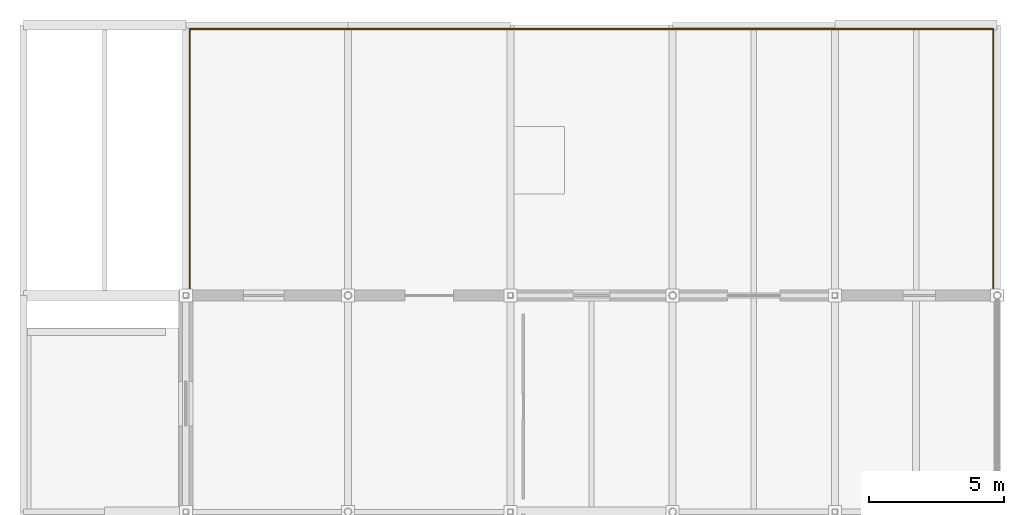
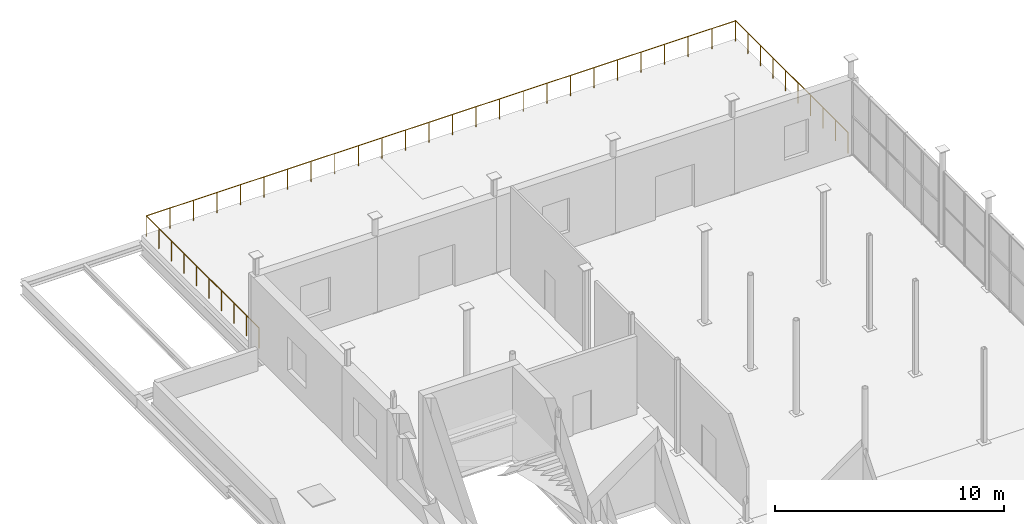
# One storey, part 27 of 27: 3 railings.
"""IFC4 building model written with IfcOpenShell, lengths in metres."""

from ifc_helpers import new_model, si_unit, direction, frame, origin, origin_2d, place, context, subcontext, project, spatial, circle, extrude, material, type_object, element, save


model = new_model("IFC4")

# Units and contexts
model_context = context("Model", 3, precision=1e-05, world=origin(), true_north=direction((0.0, 1.0)))
body_context = subcontext(model_context, "Body", "Model", "MODEL_VIEW")
ifc_project = project(units=[si_unit("LENGTHUNIT", "METRE"), si_unit("AREAUNIT", "SQUARE_METRE"), si_unit("VOLUMEUNIT", "CUBIC_METRE"), si_unit("PLANEANGLEUNIT", "RADIAN"), si_unit("MASSUNIT", "GRAM", prefix="KILO")], contexts=[model_context])

# Site, building, storey
site_placement = place(None, origin())
site = spatial("IfcSite", under=ifc_project, at=site_placement, CompositionType="ELEMENT")
building_placement = place(site_placement, origin())
building = spatial("IfcBuilding", under=site, at=building_placement, Name="Verrall Gate Interchange", CompositionType="ELEMENT")
storey_placement = place(building_placement, frame((0.0, 0.0, 23.60009765625)))
storey = spatial("IfcBuildingStorey", under=building, at=storey_placement, Name="L06", CompositionType="ELEMENT", Elevation=23.60009765625)

# Railings
ifc_material_1 = material(Name="Tyndall Dolomitic Limestone Ashlar Cavity Assembly (U=0.18)", Category="masonry")
railing_type_1 = type_object("IfcRailingType", Name="BL-01 Classical Stone Balustrade 1120", PredefinedType="BALUSTRADE", material=ifc_material_1)
railing_1_placement = place(storey_placement, frame((35.85009765625, 65.85009765625, 0.0)))
element("IfcRailing", 1, at=railing_1_placement, inside=storey, type_object=railing_type_1, Name="L06 Planted Roof Garden Guardrail 15", PredefinedType="BALUSTRADE", context=body_context, shape_type="SweptSolid", body=[
    extrude(circle(Radius=0.02392578125, at=origin_2d()), frame((0.0, 0.0, 1.09619140625), z_axis=(0.0, -1.0, 0.0), x_axis=(1.0, 0.0, 0.0)), (0.0, 0.0, 1.0), 9.85009765625),
    extrude(circle(Radius=0.02099609375, at=origin_2d()), origin(), (0.0, 0.0, 1.0), 1.072021484375),
    extrude(circle(Radius=0.02099609375, at=origin_2d()), frame((0.0, -1.094482421875, 0.0)), (0.0, 0.0, 1.0), 1.072021484375),
    extrude(circle(Radius=0.02099609375, at=origin_2d()), frame((0.0, -2.18896484375, 0.0)), (0.0, 0.0, 1.0), 1.072021484375),
    extrude(circle(Radius=0.02099609375, at=origin_2d()), frame((0.0, -3.283447265625, 0.0)), (0.0, 0.0, 1.0), 1.072021484375),
    extrude(circle(Radius=0.02099609375, at=origin_2d()), frame((0.0, -4.3779296875, 0.0)), (0.0, 0.0, 1.0), 1.072021484375),
    extrude(circle(Radius=0.02099609375, at=origin_2d()), frame((0.0, -5.47216796875, 0.0)), (0.0, 0.0, 1.0), 1.072021484375),
    extrude(circle(Radius=0.02099609375, at=origin_2d()), frame((0.0, -6.566650390625, 0.0)), (0.0, 0.0, 1.0), 1.072021484375),
    extrude(circle(Radius=0.02099609375, at=origin_2d()), frame((0.0, -7.6611328125, 0.0)), (0.0, 0.0, 1.0), 1.072021484375),
    extrude(circle(Radius=0.02099609375, at=origin_2d()), frame((0.0, -8.755615234375, 0.0)), (0.0, 0.0, 1.0), 1.072021484375),
    extrude(circle(Radius=0.02099609375, at=origin_2d()), frame((0.0, -9.85009765625, 0.0)), (0.0, 0.0, 1.0), 1.072021484375),
])
ifc_material_2 = material(Name="Architectural Bronze Anodized Aluminium Guardrail Assembly", Category="aluminium")
railing_type_2 = type_object("IfcRailingType", Name="GR-01 Roof Terrace Guardrail 1100", PredefinedType="GUARDRAIL", material=ifc_material_2)
railing_2_placement = place(storey_placement, frame((6.14990234375, 56.0, 0.0)))
element("IfcRailing", 2, at=railing_2_placement, inside=storey, type_object=railing_type_2, Name="L06 Planted Roof Garden Guardrail 13", PredefinedType="GUARDRAIL", context=body_context, shape_type="SweptSolid", body=[
    extrude(circle(Radius=0.02392578125, at=origin_2d()), frame((0.0, 0.0, 1.076171875), z_axis=(0.0, 1.0, 0.0), x_axis=(-1.0, 0.0, 0.0)), (0.0, 0.0, 1.0), 9.85009765625),
    extrude(circle(Radius=0.02099609375, at=origin_2d()), origin(), (0.0, 0.0, 1.0), 1.052001953125),
    extrude(circle(Radius=0.02099609375, at=origin_2d()), frame((0.0, 1.094482421875, 0.0)), (0.0, 0.0, 1.0), 1.052001953125),
    extrude(circle(Radius=0.02099609375, at=origin_2d()), frame((0.0, 2.18896484375, 0.0)), (0.0, 0.0, 1.0), 1.052001953125),
    extrude(circle(Radius=0.02099609375, at=origin_2d()), frame((0.0, 3.283447265625, 0.0)), (0.0, 0.0, 1.0), 1.052001953125),
    extrude(circle(Radius=0.02099609375, at=origin_2d()), frame((0.0, 4.3779296875, 0.0)), (0.0, 0.0, 1.0), 1.052001953125),
    extrude(circle(Radius=0.02099609375, at=origin_2d()), frame((0.0, 5.47216796875, 0.0)), (0.0, 0.0, 1.0), 1.052001953125),
    extrude(circle(Radius=0.02099609375, at=origin_2d()), frame((0.0, 6.566650390625, 0.0)), (0.0, 0.0, 1.0), 1.052001953125),
    extrude(circle(Radius=0.02099609375, at=origin_2d()), frame((0.0, 7.6611328125, 0.0)), (0.0, 0.0, 1.0), 1.052001953125),
    extrude(circle(Radius=0.02099609375, at=origin_2d()), frame((0.0, 8.755615234375, 0.0)), (0.0, 0.0, 1.0), 1.052001953125),
    extrude(circle(Radius=0.02099609375, at=origin_2d()), frame((0.0, 9.85009765625, 0.0)), (0.0, 0.0, 1.0), 1.052001953125),
])
railing_3_placement = place(storey_placement, frame((6.14990234375, 65.85009765625, 0.0)))
element("IfcRailing", 3, at=railing_3_placement, inside=storey, type_object=railing_type_2, Name="L06 Planted Roof Garden Guardrail 14", PredefinedType="GUARDRAIL", context=body_context, shape_type="SweptSolid", body=[
    extrude(circle(Radius=0.02392578125, at=origin_2d()), frame((0.0, 0.0, 1.076171875), z_axis=(1.0, 0.0, 0.0), x_axis=(0.0, 1.0, 0.0)), (0.0, 0.0, 1.0), 29.7001953125),
    extrude(circle(Radius=0.02099609375, at=origin_2d()), origin(), (0.0, 0.0, 1.0), 1.052001953125),
    extrude(circle(Radius=0.02099609375, at=origin_2d()), frame((1.18798828125, 0.0, 0.0)), (0.0, 0.0, 1.0), 1.052001953125),
    extrude(circle(Radius=0.02099609375, at=origin_2d()), frame((2.3759765625, 0.0, 0.0)), (0.0, 0.0, 1.0), 1.052001953125),
    extrude(circle(Radius=0.02099609375, at=origin_2d()), frame((3.56396484375, 0.0, 0.0)), (0.0, 0.0, 1.0), 1.052001953125),
    extrude(circle(Radius=0.02099609375, at=origin_2d()), frame((4.751953125, 0.0, 0.0)), (0.0, 0.0, 1.0), 1.052001953125),
    extrude(circle(Radius=0.02099609375, at=origin_2d()), frame((5.93994140625, 0.0, 0.0)), (0.0, 0.0, 1.0), 1.052001953125),
    extrude(circle(Radius=0.02099609375, at=origin_2d()), frame((7.1279296875, 0.0, 0.0)), (0.0, 0.0, 1.0), 1.052001953125),
    extrude(circle(Radius=0.02099609375, at=origin_2d()), frame((8.316162109375, 0.0, 0.0)), (0.0, 0.0, 1.0), 1.052001953125),
    extrude(circle(Radius=0.02099609375, at=origin_2d()), frame((9.504150390625, 0.0, 0.0)), (0.0, 0.0, 1.0), 1.052001953125),
    extrude(circle(Radius=0.02099609375, at=origin_2d()), frame((10.692138671875, 0.0, 0.0)), (0.0, 0.0, 1.0), 1.052001953125),
    extrude(circle(Radius=0.02099609375, at=origin_2d()), frame((11.880126953125, 0.0, 0.0)), (0.0, 0.0, 1.0), 1.052001953125),
    extrude(circle(Radius=0.02099609375, at=origin_2d()), frame((13.068115234375, 0.0, 0.0)), (0.0, 0.0, 1.0), 1.052001953125),
    extrude(circle(Radius=0.02099609375, at=origin_2d()), frame((14.256103515625, 0.0, 0.0)), (0.0, 0.0, 1.0), 1.052001953125),
    extrude(circle(Radius=0.02099609375, at=origin_2d()), frame((15.444091796875, 0.0, 0.0)), (0.0, 0.0, 1.0), 1.052001953125),
    extrude(circle(Radius=0.02099609375, at=origin_2d()), frame((16.632080078125, 0.0, 0.0)), (0.0, 0.0, 1.0), 1.052001953125),
    extrude(circle(Radius=0.02099609375, at=origin_2d()), frame((17.820068359375, 0.0, 0.0)), (0.0, 0.0, 1.0), 1.052001953125),
    extrude(circle(Radius=0.02099609375, at=origin_2d()), frame((19.008056640625, 0.0, 0.0)), (0.0, 0.0, 1.0), 1.052001953125),
    extrude(circle(Radius=0.02099609375, at=origin_2d()), frame((20.196044921875, 0.0, 0.0)), (0.0, 0.0, 1.0), 1.052001953125),
    extrude(circle(Radius=0.02099609375, at=origin_2d()), frame((21.384033203125, 0.0, 0.0)), (0.0, 0.0, 1.0), 1.052001953125),
    extrude(circle(Radius=0.02099609375, at=origin_2d()), frame((22.572265625, 0.0, 0.0)), (0.0, 0.0, 1.0), 1.052001953125),
    extrude(circle(Radius=0.02099609375, at=origin_2d()), frame((23.76025390625, 0.0, 0.0)), (0.0, 0.0, 1.0), 1.052001953125),
    extrude(circle(Radius=0.02099609375, at=origin_2d()), frame((24.9482421875, 0.0, 0.0)), (0.0, 0.0, 1.0), 1.052001953125),
    extrude(circle(Radius=0.02099609375, at=origin_2d()), frame((26.13623046875, 0.0, 0.0)), (0.0, 0.0, 1.0), 1.052001953125),
    extrude(circle(Radius=0.02099609375, at=origin_2d()), frame((27.32421875, 0.0, 0.0)), (0.0, 0.0, 1.0), 1.052001953125),
    extrude(circle(Radius=0.02099609375, at=origin_2d()), frame((28.51220703125, 0.0, 0.0)), (0.0, 0.0, 1.0), 1.052001953125),
    extrude(circle(Radius=0.02099609375, at=origin_2d()), frame((29.7001953125, 0.0, 0.0)), (0.0, 0.0, 1.0), 1.052001953125),
])

save(model, "model.ifc")
